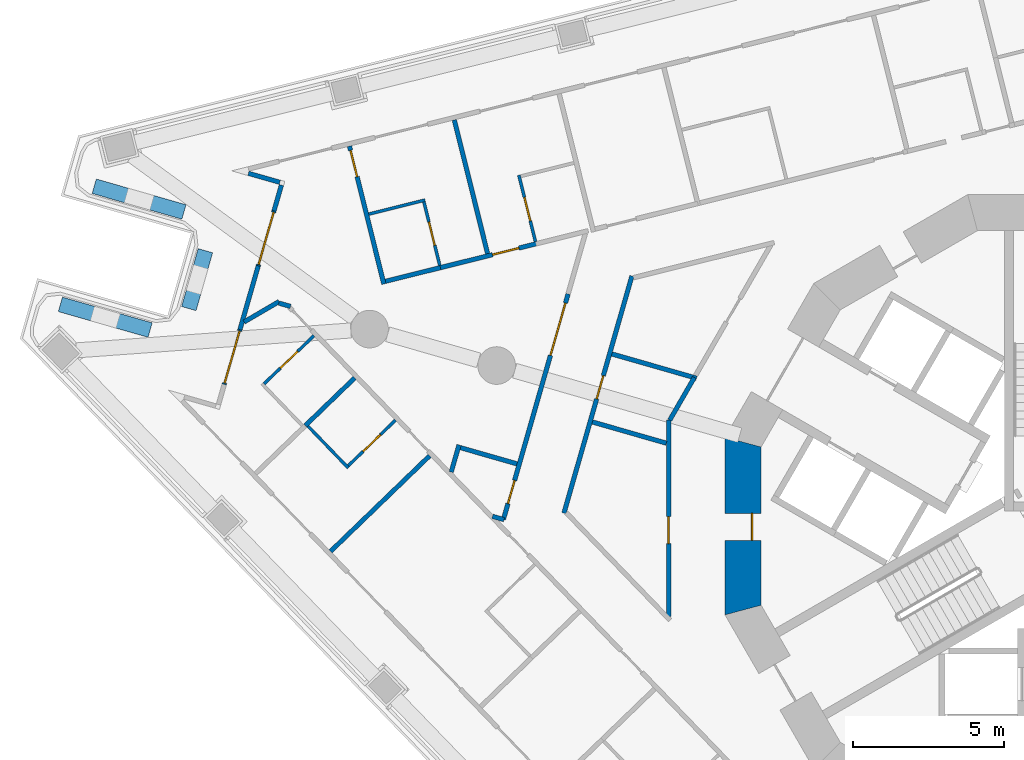
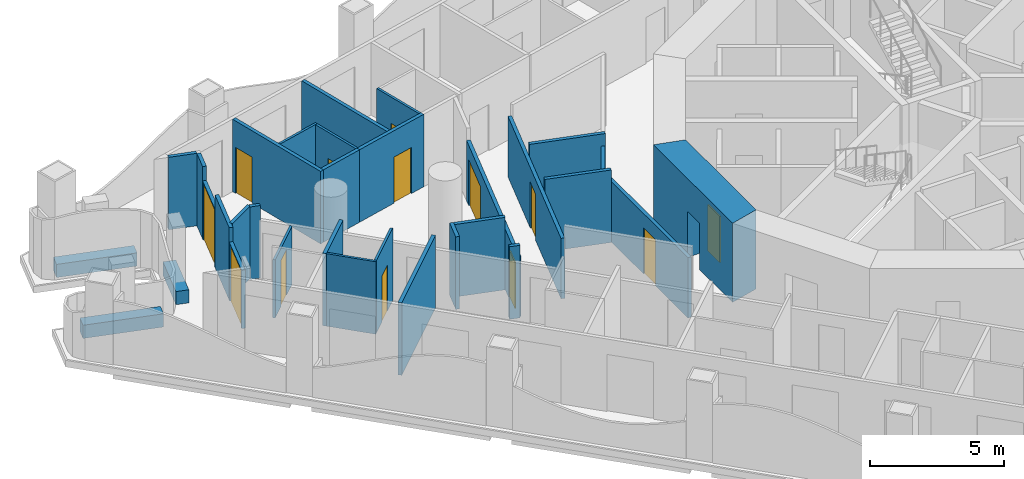
# One storey, part 6 of 19: 32 walls, 13 doors, 13 openings.
"""IFC4 building model written with IfcOpenShell, lengths in metres."""

from ifc_helpers import new_model, si_unit, direction, frame, frame_2d, origin, place, context, subcontext, project, spatial, polyline, rectangle, outline, extrude, material, layer, layer_set, type_object, element, fill, save


model = new_model("IFC4")

# Units and contexts
model_context = context("Model", 3, precision=1e-05, world=origin(), true_north=direction((0.0, 1.0)))
body_context = subcontext(model_context, "Body", "Model", "MODEL_VIEW")
ifc_project = project(units=[si_unit("LENGTHUNIT", "METRE"), si_unit("AREAUNIT", "SQUARE_METRE"), si_unit("VOLUMEUNIT", "CUBIC_METRE"), si_unit("PLANEANGLEUNIT", "RADIAN"), si_unit("MASSUNIT", "GRAM", prefix="KILO")], contexts=[model_context])

# Site, building, storey
site_placement = place(None, origin())
site = spatial("IfcSite", under=ifc_project, at=site_placement, CompositionType="ELEMENT")
building_placement = place(site_placement, origin())
building = spatial("IfcBuilding", under=site, at=building_placement, Name="Trine Commons Tower", CompositionType="ELEMENT")
storey_placement = place(building_placement, frame((0.0, 0.0, 105.300048828125)))
storey = spatial("IfcBuildingStorey", under=building, at=storey_placement, Name="L26", CompositionType="ELEMENT", Elevation=105.300048828125)

# Wall, opening, door
ifc_material_1 = material(Name="Aluminium-framed insulated wall panel", Category="aluminium")
ifc_layer_1 = layer(ifc_material_1, 0.14990234375)
ifc_layer_set_1 = layer_set([ifc_layer_1], Name="Aluminium-framed insulated wall panel")
wall_type_1 = type_object("IfcWallType", Name="Glazed frame wall 150, EI 60", PredefinedType="SOLIDWALL", material=ifc_layer_set_1)
wall_1_placement = place(storey_placement, frame((52.352294921875, 67.202880859375, 0.0), z_axis=(0.0, 0.0, 1.0), x_axis=(0.275739195228, 0.961232488119, 0.0)))
wall_1 = element("IfcWall", 1, at=wall_1_placement, inside=storey, type_object=wall_type_1, Name="Glazed frame wall P1.2", PredefinedType="SOLIDWALL", context=body_context, shape_type="SweptSolid", body=[
    extrude(outline(polyline([(0.0, -0.074951171875), (1.89990234375, -0.074951171875), (1.89990234375, 0.074951171875), (0.0, 0.074951171875), (0.0, -0.074951171875)])), origin(), (0.0, 0.0, 1.0), 2.64990234375),
])
opening_1_placement = place(wall_1_placement, frame((0.050048828125, 0.0, 0.0)))
opening_1 = element("IfcOpeningElement", 2, at=opening_1_placement, cuts=wall_1, Name="Opening BD-3P1-01", PredefinedType="OPENING", context=body_context, shape_type="SweptSolid", body=[
    extrude(rectangle(XDim=1.800048828125, YDim=2.60009765625, at=frame_2d((0.89990234375, 1.300048828125))), frame((0.0, 0.0849609375, 0.0), z_axis=(0.0, -1.0, 0.0), x_axis=(1.0, 0.0, 0.0)), (0.0, 0.0, 1.0), 0.169921875),
])
ifc_material_2 = material(Name="Anodised aluminium frame with double glazing", Category="aluminium")
door_type_1 = type_object("IfcDoorType", Name="Sliding loggia door 1800x2600", OperationType="SLIDING_TO_LEFT", PredefinedType="DOOR", material=ifc_material_2)
door_1_placement = place(opening_1_placement, origin())
door_1 = element("IfcDoor", 3, at=door_1_placement, inside=storey, type_object=door_type_1, Name="Loggia door P1 1", OperationType="SLIDING_TO_LEFT", OverallHeight=2.60009765625, OverallWidth=1.800048828125, PredefinedType="DOOR", context=body_context, shape_type="SweptSolid", body=[
    extrude(rectangle(XDim=1.800048828125, YDim=2.60009765625, at=frame_2d((0.89990234375, 1.300048828125))), frame((0.0, 0.02490234375, 0.0), z_axis=(0.0, -1.0, 0.0), x_axis=(1.0, 0.0, 0.0)), (0.0, 0.0, 1.0), 0.050048828125),
])
fill(opening_1, door_1)

# Wall
wall_2_placement = place(storey_placement, frame((52.876220703125, 69.029296875, 0.0), z_axis=(0.0, 0.0, 1.0), x_axis=(0.275556494379, 0.961284878902, 0.0)))
element("IfcWall", 4, at=wall_2_placement, inside=storey, type_object=wall_type_1, Name="Glazed frame wall P1.3", PredefinedType="SOLIDWALL", context=body_context, shape_type="SweptSolid", body=[
    extrude(outline(polyline([(0.0, -0.074951171875), (2.199951171875, -0.074951171875), (2.199951171875, 0.074951171875), (0.0, 0.074951171875), (0.0, -0.074951171875)])), origin(), (0.0, 0.0, 1.0), 3.300048828125),
])

# Wall, opening, door
wall_3_placement = place(storey_placement, frame((53.482421875, 71.14404296875, 0.0), z_axis=(0.0, 0.0, 1.0), x_axis=(0.275739195228, 0.961232488119, 0.0)))
wall_3 = element("IfcWall", 5, at=wall_3_placement, inside=storey, type_object=wall_type_1, Name="Glazed frame wall P1.4", PredefinedType="SOLIDWALL", context=body_context, shape_type="SweptSolid", body=[
    extrude(outline(polyline([(0.0, -0.074951171875), (1.89990234375, -0.074951171875), (1.89990234375, 0.074951171875), (0.0, 0.074951171875), (0.0, -0.074951171875)])), origin(), (0.0, 0.0, 1.0), 2.64990234375),
])
opening_2_placement = place(wall_3_placement, frame((0.050048828125, 0.0, 0.0)))
opening_2 = element("IfcOpeningElement", 6, at=opening_2_placement, cuts=wall_3, Name="Opening BD-3P1-02", PredefinedType="OPENING", context=body_context, shape_type="SweptSolid", body=[
    extrude(rectangle(XDim=1.800048828125, YDim=2.60009765625, at=frame_2d((0.89990234375, 1.300048828125))), frame((0.0, 0.0849609375, 0.0), z_axis=(0.0, -1.0, 0.0), x_axis=(1.0, 0.0, 0.0)), (0.0, 0.0, 1.0), 0.169921875),
])
door_2_placement = place(opening_2_placement, origin())
door_2 = element("IfcDoor", 7, at=door_2_placement, inside=storey, type_object=door_type_1, Name="Loggia door P1 2", OperationType="SLIDING_TO_LEFT", OverallHeight=2.60009765625, OverallWidth=1.800048828125, PredefinedType="DOOR", context=body_context, shape_type="SweptSolid", body=[
    extrude(rectangle(XDim=1.800048828125, YDim=2.60009765625, at=frame_2d((0.89990234375, 1.300048828125))), frame((0.0, 0.02490234375, 0.0), z_axis=(0.0, -1.0, 0.0), x_axis=(1.0, 0.0, 0.0)), (0.0, 0.0, 1.0), 0.050048828125),
])
fill(opening_2, door_2)

# Walls
wall_4_placement = place(storey_placement, frame((54.00634765625, 72.970458984375, 0.0), z_axis=(0.0, 0.0, 1.0), x_axis=(0.275656175253, 0.961256299353, 0.0)))
element("IfcWall", 8, at=wall_4_placement, inside=storey, type_object=wall_type_1, Name="Glazed frame wall P1.5", PredefinedType="SOLIDWALL", context=body_context, shape_type="SweptSolid", body=[
    extrude(outline(polyline([(0.889892578125, 0.074951171875), (0.0, 0.074951171875), (0.0, -0.074951171875), (0.889892578125, -0.074951171875), (0.889892578125, 0.074951171875)])), origin(), (0.0, 0.0, 1.0), 3.300048828125),
])
wall_5_placement = place(storey_placement, frame((54.305908203125, 73.888427734375, 0.0), z_axis=(0.0, 0.0, 1.0), x_axis=(-0.961242628544, 0.275703843044, 0.0)))
element("IfcWall", 9, at=wall_5_placement, inside=storey, type_object=wall_type_1, Name="Glazed frame wall R3", PredefinedType="SOLIDWALL", context=body_context, shape_type="SweptSolid", body=[
    extrude(outline(polyline([(0.110107421875, 0.074951171875), (0.110107421875, -0.074951171875), (1.19580078125, -0.074951171875), (1.19580078125, 0.074951171875), (0.110107421875, 0.074951171875)])), origin(), (0.0, 0.0, 1.0), 3.300048828125),
])
ifc_material_3 = material(Name="Planter trough, precast concrete C40/50", Category="concrete")
ifc_layer_2 = layer(ifc_material_3, 0.5)
ifc_layer_set_2 = layer_set([ifc_layer_2], Name="Planter trough, precast concrete C40/50")
wall_type_2 = type_object("IfcWallType", Name="Planter trough 500x600", PredefinedType="PARAPET", material=ifc_layer_set_2)
wall_6_placement = place(storey_placement, frame((46.91064453125, 69.865966796875, 0.0), z_axis=(0.0, 0.0, 1.0), x_axis=(0.961261991794, -0.275636324044, 0.0)))
element("IfcWall", 10, at=wall_6_placement, inside=storey, type_object=wall_type_2, Name="Planter 1", PredefinedType="PARAPET", context=body_context, shape_type="SweptSolid", body=[
    extrude(rectangle(XDim=3.10009765625, YDim=0.5, at=frame_2d((1.550048828125, 0.0))), origin(), (0.0, 0.0, 1.0), 0.599853515625),
])
wall_7_placement = place(storey_placement, frame((51.177001953125, 69.724609375, 0.0), z_axis=(0.0, 0.0, 1.0), x_axis=(0.275623830648, 0.961265574115, 0.0)))
element("IfcWall", 11, at=wall_7_placement, inside=storey, type_object=wall_type_2, Name="Planter 2", PredefinedType="PARAPET", context=body_context, shape_type="SweptSolid", body=[
    extrude(rectangle(XDim=2.0, YDim=0.5, at=frame_2d((1.0, 0.0))), origin(), (0.0, 0.0, 1.0), 0.599853515625),
])
wall_8_placement = place(storey_placement, frame((51.01513671875, 72.93359375, 0.0), z_axis=(0.0, 0.0, 1.0), x_axis=(-0.961261991794, 0.275636324044, 0.0)))
element("IfcWall", 12, at=wall_8_placement, inside=storey, type_object=wall_type_2, Name="Planter 3", PredefinedType="PARAPET", context=body_context, shape_type="SweptSolid", body=[
    extrude(rectangle(XDim=3.10009765625, YDim=0.5, at=frame_2d((1.550048828125, 0.0))), origin(), (0.0, 0.0, 1.0), 0.599853515625),
])

# Wall, opening, door
ifc_material_4 = material(Name="Concrete C70/85", Category="concrete")
ifc_layer_3 = layer(ifc_material_4, 1.199951171875)
ifc_layer_set_3 = layer_set([ifc_layer_3], Name="Concrete C70/85")
wall_type_3 = type_object("IfcWallType", Name="RC shear wall 1200 mm, C70/85", PredefinedType="SHEAR", material=ifc_layer_set_3)
wall_9_placement = place(storey_placement, frame((69.58837890625, 65.450439453125, 0.0), z_axis=(0.0, 0.0, 1.0), x_axis=(0.0, -1.0, 0.0)))
wall_9 = element("IfcWall", 13, at=wall_9_placement, inside=storey, type_object=wall_type_3, Name="Core wall CWC-07 L26", PredefinedType="SHEAR", context=body_context, shape_type="SweptSolid", body=[
    extrude(outline(polyline([(0.0, -0.60009765625), (5.90087890625, -0.60009765625), (5.57958984375, 0.60009765625), (0.321533203125, 0.60009765625), (0.0, -0.60009765625)])), origin(), (0.0, 0.0, 1.0), 3.599853515625),
])
opening_3_placement = place(wall_9_placement, frame((2.525390625, 0.0, 0.0)))
opening_3 = element("IfcOpeningElement", 14, at=opening_3_placement, cuts=wall_9, Name="Opening K05.13", PredefinedType="OPENING", context=body_context, shape_type="SweptSolid", body=[
    extrude(rectangle(XDim=0.89990234375, YDim=2.10009765625, at=frame_2d((0.449951171875, 1.050048828125))), frame((0.0, 0.60986328125, 0.0), z_axis=(0.0, -1.0, 0.0), x_axis=(1.0, 0.0, 0.0)), (0.0, 0.0, 1.0), 1.219970703125),
])
ifc_material_5 = material(Name="Steel door leaf, fire-rated", Category="steel")
door_type_2 = type_object("IfcDoorType", Name="Core room door, single leaf 900 x 2100, FD30S", OperationType="SINGLE_SWING_LEFT", PredefinedType="DOOR", material=ifc_material_5)
door_3_placement = place(opening_3_placement, origin())
door_3 = element("IfcDoor", 15, at=door_3_placement, inside=storey, type_object=door_type_2, Name="Door to Pantry L26", OperationType="SINGLE_SWING_RIGHT", OverallHeight=2.10009765625, OverallWidth=0.89990234375, PredefinedType="DOOR", context=body_context, shape_type="SweptSolid", body=[
    extrude(rectangle(XDim=0.89990234375, YDim=2.10009765625, at=frame_2d((0.449951171875, 1.050048828125))), frame((0.0, 0.3251953125, 0.0), z_axis=(0.0, -1.0, 0.0), x_axis=(1.0, 0.0, 0.0)), (0.0, 0.0, 1.0), 0.050048828125),
])
fill(opening_3, door_3)

# Walls
ifc_material_6 = material(Name="Gypsum plasterboard on steel stud", Category="steel")
ifc_layer_4 = layer(ifc_material_6, 0.14990234375)
ifc_layer_set_4 = layer_set([ifc_layer_4], Name="Gypsum plasterboard on steel stud")
wall_type_4 = type_object("IfcWallType", Name="Unit and corridor wall 150 mm, EI 60", PredefinedType="PARTITIONING", material=ifc_layer_set_4)
wall_10_placement = place(storey_placement, frame((53.012451171875, 69.2802734375, 0.0), z_axis=(0.0, 0.0, 1.0), x_axis=(0.863562271771, 0.504242206458, 0.0)))
element("IfcWall", 16, at=wall_10_placement, inside=storey, type_object=wall_type_4, Name="Partition 001", PredefinedType="PARTITIONING", context=body_context, shape_type="SweptSolid", body=[
    extrude(rectangle(XDim=1.349365234375, YDim=0.14990234375, at=frame_2d((0.6748046875, 0.0))), origin(), (0.0, 0.0, 1.0), 3.300048828125),
])
wall_11_placement = place(storey_placement, frame((54.169921875, 69.90673828125, 0.0), z_axis=(0.0, 0.0, 1.0), x_axis=(0.961685070829, -0.274156569398, 0.0)))
element("IfcWall", 17, at=wall_11_placement, inside=storey, type_object=wall_type_4, Name="Partition 005", PredefinedType="PARTITIONING", context=body_context, shape_type="SweptSolid", body=[
    extrude(rectangle(XDim=0.39990234375, YDim=0.14990234375, at=frame_2d((0.199951171875, 0.0))), origin(), (0.0, 0.0, 1.0), 3.300048828125),
])
wall_12_placement = place(storey_placement, frame((55.047119140625, 65.83837890625, 0.0), z_axis=(0.0, 0.0, 1.0), x_axis=(0.719183209113, 0.694820488853, 0.0)))
element("IfcWall", 18, at=wall_12_placement, inside=storey, type_object=wall_type_4, Name="Partition 008", PredefinedType="PARTITIONING", context=body_context, shape_type="SweptSolid", body=[
    extrude(rectangle(XDim=2.27490234375, YDim=0.14990234375, at=frame_2d((1.137451171875, 0.0))), origin(), (0.0, 0.0, 1.0), 3.300048828125),
])
wall_13_placement = place(storey_placement, frame((55.88671875, 61.660888671875, 0.0), z_axis=(0.0, 0.0, 1.0), x_axis=(0.719385819916, 0.694610712632, 0.0)))
element("IfcWall", 19, at=wall_13_placement, inside=storey, type_object=wall_type_4, Name="Partition 009", PredefinedType="PARTITIONING", context=body_context, shape_type="SweptSolid", body=[
    extrude(rectangle(XDim=4.572265625, YDim=0.14990234375, at=frame_2d((2.2861328125, 0.0))), origin(), (0.0, 0.0, 1.0), 3.300048828125),
])

# Wall, opening, door
wall_14_placement = place(storey_placement, frame((56.513671875, 75.122314453125, 0.0), z_axis=(0.0, 0.0, 1.0), x_axis=(0.24185448203, -0.970312531879, 0.0)))
wall_14 = element("IfcWall", 20, at=wall_14_placement, inside=storey, type_object=wall_type_4, Name="Partition 011", PredefinedType="PARTITIONING", context=body_context, shape_type="SweptSolid", body=[
    extrude(rectangle(XDim=4.72314453125, YDim=0.14990234375, at=frame_2d((2.361572265625, 0.0))), origin(), (0.0, 0.0, 1.0), 3.300048828125),
])
opening_4_placement = place(wall_14_placement, frame((0.14990234375, 0.0, 0.0)))
opening_4 = element("IfcOpeningElement", 21, at=opening_4_placement, cuts=wall_14, Name="Opening D-3B07", PredefinedType="OPENING", context=body_context, shape_type="SweptSolid", body=[
    extrude(rectangle(XDim=0.89990234375, YDim=2.10009765625, at=frame_2d((0.449951171875, 1.050048828125))), frame((0.0, 0.0849609375, 0.0), z_axis=(0.0, -1.0, 0.0), x_axis=(1.0, 0.0, 0.0)), (0.0, 0.0, 1.0), 0.169921875),
])
ifc_material_7 = material(Name="Timber fire door set", Category="wood")
door_type_3 = type_object("IfcDoorType", Name="Bedroom door 900 x 2100, FD30S", OperationType="NOTDEFINED", PredefinedType="DOOR", material=ifc_material_7)
door_4_placement = place(opening_4_placement, origin())
door_4 = element("IfcDoor", 22, at=door_4_placement, inside=storey, type_object=door_type_3, Name="Door D-3B07", OperationType="SINGLE_SWING_LEFT", OverallHeight=2.10009765625, OverallWidth=0.89990234375, PredefinedType="DOOR", context=body_context, shape_type="SweptSolid", body=[
    extrude(rectangle(XDim=0.89990234375, YDim=2.10009765625, at=frame_2d((0.449951171875, 1.050048828125))), frame((0.0, 0.02490234375, 0.0), z_axis=(0.0, -1.0, 0.0), x_axis=(1.0, 0.0, 0.0)), (0.0, 0.0, 1.0), 0.050048828125),
])
fill(opening_4, door_4)

# Wall
wall_15_placement = place(storey_placement, frame((57.710693359375, 70.630126953125, 0.0), z_axis=(0.0, 0.0, 1.0), x_axis=(0.970264657276, 0.242046472483, 0.0)))
element("IfcWall", 23, at=wall_15_placement, inside=storey, type_object=wall_type_4, Name="Partition 013", PredefinedType="PARTITIONING", context=body_context, shape_type="SweptSolid", body=[
    extrude(rectangle(XDim=1.879150390625, YDim=0.14990234375, at=frame_2d((0.939453125, 0.0))), origin(), (0.0, 0.0, 1.0), 3.300048828125),
])

# Wall, opening, door
wall_16_placement = place(storey_placement, frame((59.52587890625, 71.0830078125, 0.0), z_axis=(0.0, 0.0, 1.0), x_axis=(0.970335998333, 0.24176031589, 0.0)))
wall_16 = element("IfcWall", 24, at=wall_16_placement, inside=storey, type_object=wall_type_4, Name="Partition 015", PredefinedType="PARTITIONING", context=body_context, shape_type="SweptSolid", body=[
    extrude(rectangle(XDim=3.33447265625, YDim=0.14990234375, at=frame_2d((1.667236328125, 0.0))), origin(), (0.0, 0.0, 1.0), 3.300048828125),
])
opening_5_placement = place(wall_16_placement, frame((1.792724609375, 0.0, 0.0)))
opening_5 = element("IfcOpeningElement", 25, at=opening_5_placement, cuts=wall_16, Name="Opening D-3B08", PredefinedType="OPENING", context=body_context, shape_type="SweptSolid", body=[
    extrude(rectangle(XDim=0.89990234375, YDim=2.10009765625, at=frame_2d((0.449951171875, 1.050048828125))), frame((0.0, 0.0849609375, 0.0), z_axis=(0.0, -1.0, 0.0), x_axis=(1.0, 0.0, 0.0)), (0.0, 0.0, 1.0), 0.169921875),
])
door_5_placement = place(opening_5_placement, origin())
door_5 = element("IfcDoor", 26, at=door_5_placement, inside=storey, type_object=door_type_3, Name="Door D-3B08", OperationType="SINGLE_SWING_RIGHT", OverallHeight=2.10009765625, OverallWidth=0.89990234375, PredefinedType="DOOR", context=body_context, shape_type="SweptSolid", body=[
    extrude(rectangle(XDim=0.89990234375, YDim=2.10009765625, at=frame_2d((0.449951171875, 1.050048828125))), frame((0.0, 0.02490234375, 0.0), z_axis=(0.0, -1.0, 0.0), x_axis=(1.0, 0.0, 0.0)), (0.0, 0.0, 1.0), 0.050048828125),
])
fill(opening_5, door_5)

# Walls
wall_17_placement = place(storey_placement, frame((59.8935546875, 64.295166015625, 0.0), z_axis=(0.0, 0.0, 1.0), x_axis=(0.275099226296, 0.96141583911, 0.0)))
element("IfcWall", 27, at=wall_17_placement, inside=storey, type_object=wall_type_4, Name="Partition 016", PredefinedType="PARTITIONING", context=body_context, shape_type="SweptSolid", body=[
    extrude(rectangle(XDim=0.93798828125, YDim=0.14990234375, at=frame_2d((0.468994140625, 0.0))), origin(), (0.0, 0.0, 1.0), 3.300048828125),
])
wall_18_placement = place(storey_placement, frame((59.99560546875, 75.990234375, 0.0), z_axis=(0.0, 0.0, 1.0), x_axis=(0.24188240248, -0.970305572163, 0.0)))
element("IfcWall", 28, at=wall_18_placement, inside=storey, type_object=wall_type_4, Name="Partition 017", PredefinedType="PARTITIONING", context=body_context, shape_type="SweptSolid", body=[
    extrude(rectangle(XDim=4.5732421875, YDim=0.14990234375, at=frame_2d((2.28662109375, 0.0))), origin(), (0.0, 0.0, 1.0), 3.300048828125),
])
wall_19_placement = place(storey_placement, frame((60.203125, 65.104248046875, 0.0), z_axis=(0.0, 0.0, 1.0), x_axis=(0.961258970078, -0.275646861845, 0.0)))
element("IfcWall", 29, at=wall_19_placement, inside=storey, type_object=wall_type_4, Name="Partition 018", PredefinedType="PARTITIONING", context=body_context, shape_type="SweptSolid", body=[
    extrude(rectangle(XDim=1.9501953125, YDim=0.14990234375, at=frame_2d((0.97509765625, 0.0))), origin(), (0.0, 0.0, 1.0), 3.300048828125),
])
wall_20_placement = place(storey_placement, frame((61.261962890625, 62.823974609375, 0.0), z_axis=(0.0, 0.0, 1.0), x_axis=(0.960829843292, -0.2771389764, 0.0)))
element("IfcWall", 30, at=wall_20_placement, inside=storey, type_object=wall_type_4, Name="Partition 022", PredefinedType="PARTITIONING", context=body_context, shape_type="SweptSolid", body=[
    extrude(rectangle(XDim=0.39990234375, YDim=0.14990234375, at=frame_2d((0.199951171875, 0.0))), origin(), (0.0, 0.0, 1.0), 3.300048828125),
])

# Wall, openings, doors
wall_21_placement = place(storey_placement, frame((61.625, 62.715087890625, 0.0), z_axis=(0.0, 0.0, 1.0), x_axis=(0.275614307244, 0.961268304711, 0.0)))
wall_21 = element("IfcWall", 31, at=wall_21_placement, inside=storey, type_object=wall_type_4, Name="Partition 023", PredefinedType="PARTITIONING", context=body_context, shape_type="SweptSolid", body=[
    extrude(rectangle(XDim=7.796875, YDim=0.14990234375, at=frame_2d((3.8984375, 0.0))), origin(), (0.0, 0.0, 1.0), 2.75),
])
opening_6_placement = place(wall_21_placement, frame((5.67919921875, 0.0, 0.0)))
opening_6 = element("IfcOpeningElement", 32, at=opening_6_placement, cuts=wall_21, Name="Opening D-3B03", PredefinedType="OPENING", context=body_context, shape_type="SweptSolid", body=[
    extrude(rectangle(XDim=1.800048828125, YDim=2.10009765625, at=frame_2d((0.89990234375, 1.050048828125))), frame((0.0, 0.0849609375, 0.0), z_axis=(0.0, -1.0, 0.0), x_axis=(1.0, 0.0, 0.0)), (0.0, 0.0, 1.0), 0.169921875),
])
opening_7_placement = place(wall_21_placement, frame((0.554443359375, 0.0, 0.0)))
opening_7 = element("IfcOpeningElement", 33, at=opening_7_placement, cuts=wall_21, Name="Opening D-3B06", PredefinedType="OPENING", context=body_context, shape_type="SweptSolid", body=[
    extrude(rectangle(XDim=0.800048828125, YDim=2.10009765625, at=frame_2d((0.39990234375, 1.050048828125))), frame((0.0, 0.0849609375, 0.0), z_axis=(0.0, -1.0, 0.0), x_axis=(1.0, 0.0, 0.0)), (0.0, 0.0, 1.0), 0.169921875),
])
door_type_4 = type_object("IfcDoorType", Name="Cluster entrance door 1800 x 2100, double leaf, FD30S", OperationType="DOUBLE_DOOR_DOUBLE_SWING", PredefinedType="DOOR", material=ifc_material_7)
door_6_placement = place(opening_6_placement, origin())
door_6 = element("IfcDoor", 34, at=door_6_placement, inside=storey, type_object=door_type_4, Name="Door D-3B03", OperationType="DOUBLE_DOOR_DOUBLE_SWING", OverallHeight=2.10009765625, OverallWidth=1.800048828125, PredefinedType="DOOR", context=body_context, shape_type="SweptSolid", body=[
    extrude(rectangle(XDim=1.800048828125, YDim=2.10009765625, at=frame_2d((0.89990234375, 1.050048828125))), frame((0.0, 0.02490234375, 0.0), z_axis=(0.0, -1.0, 0.0), x_axis=(1.0, 0.0, 0.0)), (0.0, 0.0, 1.0), 0.050048828125),
])
fill(opening_6, door_6)
ifc_material_8 = material(Name="Painted timber", Category="wood")
door_type_5 = type_object("IfcDoorType", Name="Toilet door 800 x 2100, NOT RATED", OperationType="NOTDEFINED", PredefinedType="DOOR", material=ifc_material_8)
door_7_placement = place(opening_7_placement, origin())
door_7 = element("IfcDoor", 35, at=door_7_placement, inside=storey, type_object=door_type_5, Name="Door D-3B06", OperationType="SINGLE_SWING_LEFT", OverallHeight=2.10009765625, OverallWidth=0.800048828125, PredefinedType="DOOR", context=body_context, shape_type="SweptSolid", body=[
    extrude(rectangle(XDim=0.800048828125, YDim=2.10009765625, at=frame_2d((0.39990234375, 1.050048828125))), frame((0.0, 0.02490234375, 0.0), z_axis=(0.0, -1.0, 0.0), x_axis=(1.0, 0.0, 0.0)), (0.0, 0.0, 1.0), 0.050048828125),
])
fill(opening_7, door_7)

# Wall, opening, door
wall_22_placement = place(storey_placement, frame((63.63720703125, 62.930908203125, 0.0), z_axis=(0.0, 0.0, 1.0), x_axis=(0.275598829518, 0.961272742341, 0.0)))
wall_22 = element("IfcWall", 36, at=wall_22_placement, inside=storey, type_object=wall_type_4, Name="Partition 030", PredefinedType="PARTITIONING", context=body_context, shape_type="SweptSolid", body=[
    extrude(rectangle(XDim=8.19140625, YDim=0.14990234375, at=frame_2d((4.095703125, 0.0))), origin(), (0.0, 0.0, 1.0), 2.75),
])
opening_8_placement = place(wall_22_placement, frame((3.94580078125, 0.0, 0.0)))
opening_8 = element("IfcOpeningElement", 37, at=opening_8_placement, cuts=wall_22, Name="Opening D-3B41", PredefinedType="OPENING", context=body_context, shape_type="SweptSolid", body=[
    extrude(rectangle(XDim=0.800048828125, YDim=2.10009765625, at=frame_2d((0.39990234375, 1.050048828125))), frame((0.0, 0.0849609375, 0.0), z_axis=(0.0, -1.0, 0.0), x_axis=(1.0, 0.0, 0.0)), (0.0, 0.0, 1.0), 0.169921875),
])
door_8_placement = place(opening_8_placement, frame((0.800048828125, 0.0, 0.0), z_axis=(0.0, 0.0, 1.0), x_axis=(-1.0, 0.0, 0.0)))
door_8 = element("IfcDoor", 38, at=door_8_placement, inside=storey, type_object=door_type_5, Name="Door D-3B41", OperationType="SINGLE_SWING_LEFT", OverallHeight=2.10009765625, OverallWidth=0.800048828125, PredefinedType="DOOR", context=body_context, shape_type="SweptSolid", body=[
    extrude(rectangle(XDim=0.800048828125, YDim=2.10009765625, at=frame_2d((0.39990234375, 1.050048828125))), frame((0.0, 0.02490234375, 0.0), z_axis=(0.0, -1.0, 0.0), x_axis=(1.0, 0.0, 0.0)), (0.0, 0.0, 1.0), 0.050048828125),
])
fill(opening_8, door_8)

# Walls
wall_23_placement = place(storey_placement, frame((64.5830078125, 65.958251953125, 0.0), z_axis=(0.0, 0.0, 1.0), x_axis=(0.961285789876, -0.275553316407, 0.0)))
element("IfcWall", 39, at=wall_23_placement, inside=storey, type_object=wall_type_4, Name="Partition 033", PredefinedType="PARTITIONING", context=body_context, shape_type="SweptSolid", body=[
    extrude(rectangle(XDim=2.556884765625, YDim=0.14990234375, at=frame_2d((1.2783203125, 0.0))), origin(), (0.0, 0.0, 1.0), 3.300048828125),
])
wall_24_placement = place(storey_placement, frame((65.231201171875, 68.21728515625, 0.0), z_axis=(0.0, 0.0, 1.0), x_axis=(0.961306086513, -0.275482500411, 0.0)))
element("IfcWall", 40, at=wall_24_placement, inside=storey, type_object=wall_type_4, Name="Partition 037", PredefinedType="PARTITIONING", context=body_context, shape_type="SweptSolid", body=[
    extrude(rectangle(XDim=2.921875, YDim=0.14990234375, at=frame_2d((1.4609375, 0.0))), origin(), (0.0, 0.0, 1.0), 3.300048828125),
])

# Wall, opening, door
wall_25_placement = place(storey_placement, frame((67.113037109375, 59.49609375, 0.0), z_axis=(0.0, 0.0, 1.0), x_axis=(0.0, 1.0, 0.0)))
wall_25 = element("IfcWall", 41, at=wall_25_placement, inside=storey, type_object=wall_type_4, Name="Partition 041", PredefinedType="PARTITIONING", context=body_context, shape_type="SweptSolid", body=[
    extrude(rectangle(XDim=6.531982421875, YDim=0.14990234375, at=frame_2d((3.26611328125, 0.0))), origin(), (0.0, 0.0, 1.0), 2.75),
])
opening_9_placement = place(wall_25_placement, frame((2.41845703125, 0.0, 0.0)))
opening_9 = element("IfcOpeningElement", 42, at=opening_9_placement, cuts=wall_25, Name="Opening D-3B37", PredefinedType="OPENING", context=body_context, shape_type="SweptSolid", body=[
    extrude(rectangle(XDim=0.89990234375, YDim=2.10009765625, at=frame_2d((0.449951171875, 1.050048828125))), frame((0.0, 0.0849609375, 0.0), z_axis=(0.0, -1.0, 0.0), x_axis=(1.0, 0.0, 0.0)), (0.0, 0.0, 1.0), 0.169921875),
])
door_type_6 = type_object("IfcDoorType", Name="Service door 900 x 2100, FD30S", OperationType="NOTDEFINED", PredefinedType="DOOR", material=ifc_material_7)
door_9_placement = place(opening_9_placement, origin())
door_9 = element("IfcDoor", 43, at=door_9_placement, inside=storey, type_object=door_type_6, Name="Door D-3B37", OperationType="SINGLE_SWING_LEFT", OverallHeight=2.10009765625, OverallWidth=0.89990234375, PredefinedType="DOOR", context=body_context, shape_type="SweptSolid", body=[
    extrude(rectangle(XDim=0.89990234375, YDim=2.10009765625, at=frame_2d((0.449951171875, 1.050048828125))), frame((0.0, 0.02490234375, 0.0), z_axis=(0.0, -1.0, 0.0), x_axis=(1.0, 0.0, 0.0)), (0.0, 0.0, 1.0), 0.050048828125),
])
fill(opening_9, door_9)

# Wall
wall_26_placement = place(storey_placement, frame((67.150390625, 66.01806640625, 0.0), z_axis=(0.0, 0.0, 1.0), x_axis=(0.49971385212, 0.866190548321, 0.0)))
element("IfcWall", 44, at=wall_26_placement, inside=storey, type_object=wall_type_4, Name="Partition 042", PredefinedType="PARTITIONING", context=body_context, shape_type="SweptSolid", body=[
    extrude(rectangle(XDim=1.63818359375, YDim=0.14990234375, at=frame_2d((0.819091796875, 0.0))), origin(), (0.0, 0.0, 1.0), 2.75),
])

# Wall, opening, door
ifc_layer_5 = layer(ifc_material_6, 0.10009765625)
ifc_layer_set_5 = layer_set([ifc_layer_5], Name="Gypsum plasterboard on steel stud")
wall_type_5 = type_object("IfcWallType", Name="Unit partition 100 mm, no rating", PredefinedType="PARTITIONING", material=ifc_layer_set_5)
wall_27_placement = place(storey_placement, frame((53.677978515625, 67.226806640625, 0.0), z_axis=(0.0, 0.0, 1.0), x_axis=(0.719443618251, 0.694550847784, 0.0)))
wall_27 = element("IfcWall", 45, at=wall_27_placement, inside=storey, type_object=wall_type_5, Name="Partition 004", PredefinedType="PARTITIONING", context=body_context, shape_type="SweptSolid", body=[
    extrude(rectangle(XDim=2.294921875, YDim=0.10009765625, at=frame_2d((1.1474609375, 0.0))), origin(), (0.0, 0.0, 1.0), 2.64990234375),
])
opening_10_placement = place(wall_27_placement, frame((0.74755859375, 0.0, 0.0)))
opening_10 = element("IfcOpeningElement", 46, at=opening_10_placement, cuts=wall_27, Name="Opening D-3B65", PredefinedType="OPENING", context=body_context, shape_type="SweptSolid", body=[
    extrude(rectangle(XDim=0.800048828125, YDim=2.10009765625, at=frame_2d((0.39990234375, 1.050048828125))), frame((0.0, 0.06005859375, 0.0), z_axis=(0.0, -1.0, 0.0), x_axis=(1.0, 0.0, 0.0)), (0.0, 0.0, 1.0), 0.1201171875),
])
door_type_7 = type_object("IfcDoorType", Name="Internal door 800 x 2100, NOT RATED", OperationType="NOTDEFINED", PredefinedType="DOOR", material=ifc_material_8)
door_10_placement = place(opening_10_placement, origin())
door_10 = element("IfcDoor", 47, at=door_10_placement, inside=storey, type_object=door_type_7, Name="Door D-3B65", OperationType="SINGLE_SWING_LEFT", OverallHeight=2.10009765625, OverallWidth=0.800048828125, PredefinedType="DOOR", context=body_context, shape_type="SweptSolid", body=[
    extrude(rectangle(XDim=0.800048828125, YDim=2.10009765625, at=frame_2d((0.39990234375, 1.050048828125))), frame((0.0, 0.02490234375, 0.0), z_axis=(0.0, -1.0, 0.0), x_axis=(1.0, 0.0, 0.0)), (0.0, 0.0, 1.0), 0.050048828125),
])
fill(opening_10, door_10)

# Wall
wall_28_placement = place(storey_placement, frame((55.135009765625, 65.819091796875, 0.0), z_axis=(0.0, 0.0, 1.0), x_axis=(0.694438310909, -0.719552244345, 0.0)))
element("IfcWall", 48, at=wall_28_placement, inside=storey, type_object=wall_type_5, Name="Partition 007", PredefinedType="PARTITIONING", context=body_context, shape_type="SweptSolid", body=[
    extrude(rectangle(XDim=1.9248046875, YDim=0.10009765625, at=frame_2d((0.96240234375, 0.0))), origin(), (0.0, 0.0, 1.0), 3.300048828125),
])

# Wall, opening, door
wall_29_placement = place(storey_placement, frame((56.472900390625, 64.504638671875, 0.0), z_axis=(0.0, 0.0, 1.0), x_axis=(0.719397593573, 0.69459851883, 0.0)))
wall_29 = element("IfcWall", 49, at=wall_29_placement, inside=storey, type_object=wall_type_5, Name="Partition 010", PredefinedType="PARTITIONING", context=body_context, shape_type="SweptSolid", body=[
    extrude(rectangle(XDim=2.17578125, YDim=0.10009765625, at=frame_2d((1.087890625, 0.0))), origin(), (0.0, 0.0, 1.0), 3.300048828125),
])
opening_11_placement = place(wall_29_placement, frame((0.687744140625, 0.0, 0.0)))
opening_11 = element("IfcOpeningElement", 50, at=opening_11_placement, cuts=wall_29, Name="Opening D-3B64", PredefinedType="OPENING", context=body_context, shape_type="SweptSolid", body=[
    extrude(rectangle(XDim=0.800048828125, YDim=2.10009765625, at=frame_2d((0.39990234375, 1.050048828125))), frame((0.0, 0.06005859375, 0.0), z_axis=(0.0, -1.0, 0.0), x_axis=(1.0, 0.0, 0.0)), (0.0, 0.0, 1.0), 0.1201171875),
])
door_11_placement = place(opening_11_placement, frame((0.800048828125, 0.0, 0.0), z_axis=(0.0, 0.0, 1.0), x_axis=(-1.0, 0.0, 0.0)))
door_11 = element("IfcDoor", 51, at=door_11_placement, inside=storey, type_object=door_type_7, Name="Door D-3B64", OperationType="SINGLE_SWING_RIGHT", OverallHeight=2.10009765625, OverallWidth=0.800048828125, PredefinedType="DOOR", context=body_context, shape_type="SweptSolid", body=[
    extrude(rectangle(XDim=0.800048828125, YDim=2.10009765625, at=frame_2d((0.39990234375, 1.050048828125))), frame((0.0, 0.02490234375, 0.0), z_axis=(0.0, -1.0, 0.0), x_axis=(1.0, 0.0, 0.0)), (0.0, 0.0, 1.0), 0.050048828125),
])
fill(opening_11, door_11)

# Wall
wall_30_placement = place(storey_placement, frame((57.15478515625, 72.8623046875, 0.0), z_axis=(0.0, 0.0, 1.0), x_axis=(0.970276645771, 0.241998410475, 0.0)))
element("IfcWall", 52, at=wall_30_placement, inside=storey, type_object=wall_type_5, Name="Partition 012", PredefinedType="PARTITIONING", context=body_context, shape_type="SweptSolid", body=[
    extrude(rectangle(XDim=1.9248046875, YDim=0.10009765625, at=frame_2d((0.96240234375, 0.0))), origin(), (0.0, 0.0, 1.0), 3.300048828125),
])

# Wall, opening, door
wall_31_placement = place(storey_placement, frame((58.986083984375, 73.267578125, 0.0), z_axis=(0.0, 0.0, 1.0), x_axis=(0.241743332693, -0.970340229558, 0.0)))
wall_31 = element("IfcWall", 53, at=wall_31_placement, inside=storey, type_object=wall_type_5, Name="Partition 014", PredefinedType="PARTITIONING", context=body_context, shape_type="SweptSolid", body=[
    extrude(rectangle(XDim=2.17529296875, YDim=0.10009765625, at=frame_2d((1.087646484375, 0.0))), origin(), (0.0, 0.0, 1.0), 3.300048828125),
])
opening_12_placement = place(wall_31_placement, frame((0.6875, 0.0, 0.0)))
opening_12 = element("IfcOpeningElement", 54, at=opening_12_placement, cuts=wall_31, Name="Opening D-3B43", PredefinedType="OPENING", context=body_context, shape_type="SweptSolid", body=[
    extrude(rectangle(XDim=0.800048828125, YDim=2.10009765625, at=frame_2d((0.39990234375, 1.050048828125))), frame((0.0, 0.06005859375, 0.0), z_axis=(0.0, -1.0, 0.0), x_axis=(1.0, 0.0, 0.0)), (0.0, 0.0, 1.0), 0.1201171875),
])
door_12_placement = place(opening_12_placement, origin())
door_12 = element("IfcDoor", 55, at=door_12_placement, inside=storey, type_object=door_type_7, Name="Door D-3B43", OperationType="SINGLE_SWING_RIGHT", OverallHeight=2.10009765625, OverallWidth=0.800048828125, PredefinedType="DOOR", context=body_context, shape_type="SweptSolid", body=[
    extrude(rectangle(XDim=0.800048828125, YDim=2.10009765625, at=frame_2d((0.39990234375, 1.050048828125))), frame((0.0, 0.02490234375, 0.0), z_axis=(0.0, -1.0, 0.0), x_axis=(1.0, 0.0, 0.0)), (0.0, 0.0, 1.0), 0.050048828125),
])
fill(opening_12, door_12)

wall_32_placement = place(storey_placement, frame((62.140869140625, 74.156494140625, 0.0), z_axis=(0.0, 0.0, 1.0), x_axis=(0.241853593672, -0.970312753306, 0.0)))
wall_32 = element("IfcWall", 56, at=wall_32_placement, inside=storey, type_object=wall_type_5, Name="Partition 024", PredefinedType="PARTITIONING", context=body_context, shape_type="SweptSolid", body=[
    extrude(rectangle(XDim=2.2744140625, YDim=0.10009765625, at=frame_2d((1.13720703125, 0.0))), origin(), (0.0, 0.0, 1.0), 3.300048828125),
])
opening_13_placement = place(wall_32_placement, frame((0.76220703125, 0.0, 0.0)))
opening_13 = element("IfcOpeningElement", 57, at=opening_13_placement, cuts=wall_32, Name="Opening D-3B44", PredefinedType="OPENING", context=body_context, shape_type="SweptSolid", body=[
    extrude(rectangle(XDim=0.800048828125, YDim=2.10009765625, at=frame_2d((0.39990234375, 1.050048828125))), frame((0.0, 0.06005859375, 0.0), z_axis=(0.0, -1.0, 0.0), x_axis=(1.0, 0.0, 0.0)), (0.0, 0.0, 1.0), 0.1201171875),
])
door_13_placement = place(opening_13_placement, frame((0.800048828125, 0.0, 0.0), z_axis=(0.0, 0.0, 1.0), x_axis=(-1.0, 0.0, 0.0)))
door_13 = element("IfcDoor", 58, at=door_13_placement, inside=storey, type_object=door_type_7, Name="Door D-3B44", OperationType="SINGLE_SWING_LEFT", OverallHeight=2.10009765625, OverallWidth=0.800048828125, PredefinedType="DOOR", context=body_context, shape_type="SweptSolid", body=[
    extrude(rectangle(XDim=0.800048828125, YDim=2.10009765625, at=frame_2d((0.39990234375, 1.050048828125))), frame((0.0, 0.02490234375, 0.0), z_axis=(0.0, -1.0, 0.0), x_axis=(1.0, 0.0, 0.0)), (0.0, 0.0, 1.0), 0.050048828125),
])
fill(opening_13, door_13)

save(model, "model.ifc")
